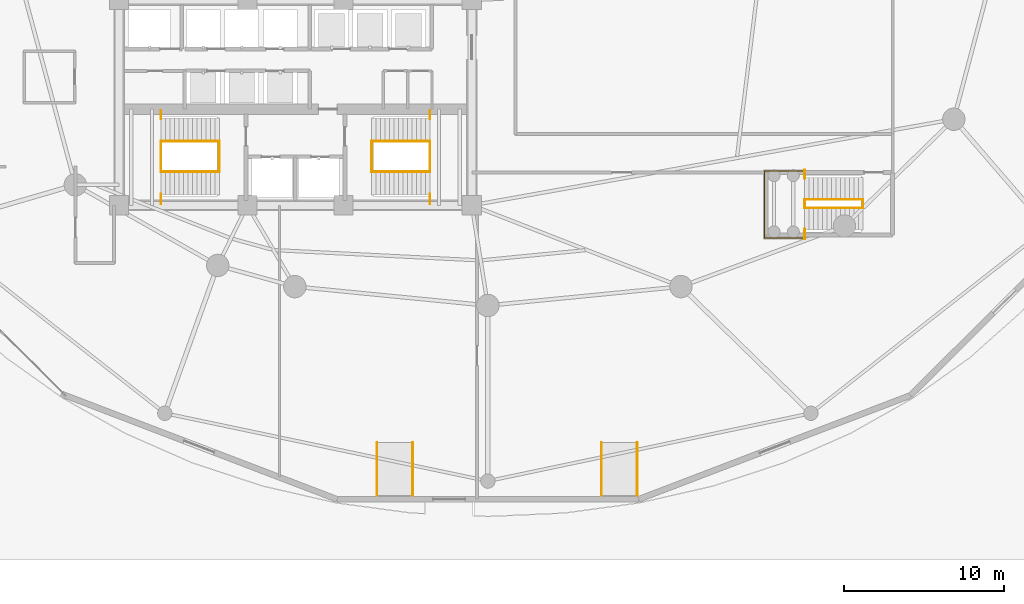
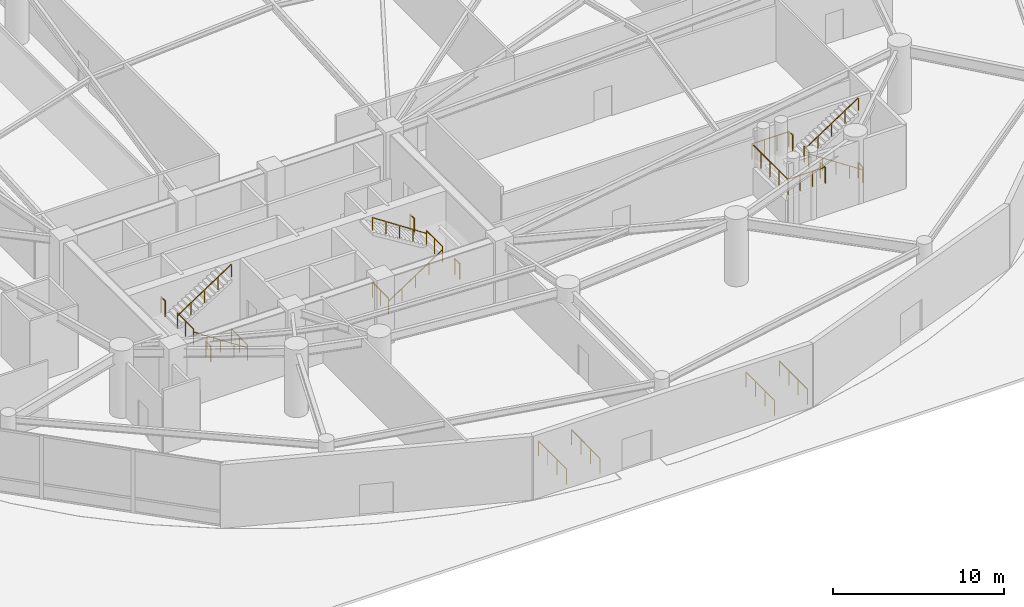
# One storey, part 30 of 35: 23 railings.
"""IFC4 building model written with IfcOpenShell, lengths in metres."""

import ifcopenshell
import ifcopenshell.guid

model = None  # the IFC model being written
_history = None  # IfcOwnerHistory: only IFC2X3 demands one
_inside = {}  # id of a spatial element -> (the spatial element, [elements in it])
_under = {}  # id of a project, library or spatial element -> (it, [spatial elements below it])
_declared = {}  # id of a project -> (the project, [libraries it declares])
_typed = {}  # id of a type object -> (the type object, [elements of that type])
_made_of = {}  # id of a material, layer set ... -> (it, [elements and type objects made of it])


def new_model(schema):
    """Start an empty IFC model of exactly this schema.

    Asked for "IFC4X3", IfcOpenShell would pick the latest addendum, in which some entities
    have other attributes; the version numbers below select the first issue.
    IFC2X3 requires an IfcOwnerHistory on every rooted entity: one is made here for all.
    """
    global model, _history
    if schema == "IFC4X3":
        model = ifcopenshell.file(schema_version=(4, 3, 0, 0))
    else:
        model = ifcopenshell.file(schema=schema)
    _inside.clear()
    _under.clear()
    _declared.clear()
    _typed.clear()
    _made_of.clear()
    _history = None
    if model.schema == "IFC2X3":
        org = make("IfcOrganization", Name="unknown")
        user = make(
            "IfcPersonAndOrganization",
            ThePerson=make("IfcPerson", FamilyName="unknown"),
            TheOrganization=org,
        )
        app = make(
            "IfcApplication",
            ApplicationDeveloper=org,
            Version="unknown",
            ApplicationFullName="unknown",
            ApplicationIdentifier="unknown",
        )
        _history = make(
            "IfcOwnerHistory",
            OwningUser=user,
            OwningApplication=app,
            ChangeAction="ADDED",
            CreationDate=0,
        )
    return model


def make(cls, **values):
    """One entity of the class cls with the attributes given. An attribute that is None is left unset."""
    return model.create_entity(
        cls, **{name: value for name, value in values.items() if value is not None}
    )


def rooted(cls, **values):
    """An entity with a GlobalId (a new one), such as an element, a storey or a relation."""
    return make(cls, GlobalId=ifcopenshell.guid.new(), OwnerHistory=_history, **values)


def si_unit(unit_type, name, prefix=None):
    """IfcSIUnit, for example si_unit("LENGTHUNIT", "METRE", prefix="MILLI")."""
    return make("IfcSIUnit", UnitType=unit_type, Prefix=prefix, Name=name)


def assignment(units):
    """IfcUnitAssignment: the units of a project."""
    return None if units is None else make("IfcUnitAssignment", Units=units)


def point(xyz):
    """IfcCartesianPoint."""
    return None if xyz is None else make("IfcCartesianPoint", Coordinates=xyz)


def direction(xyz):
    """IfcDirection."""
    return None if xyz is None else make("IfcDirection", DirectionRatios=xyz)


def frame(location, z_axis=None, x_axis=None):
    """IfcAxis2Placement3D, a coordinate frame: its origin and axes. An axis left out is left unset."""
    return make(
        "IfcAxis2Placement3D",
        Location=point(location),
        Axis=direction(z_axis),
        RefDirection=direction(x_axis),
    )


def frame_2d(location, x_axis=None):
    """IfcAxis2Placement2D, a coordinate frame in the plane: its origin and x axis."""
    return make(
        "IfcAxis2Placement2D", Location=point(location), RefDirection=direction(x_axis)
    )


def origin():
    """The frame at (0, 0, 0) with its axes left unset."""
    return frame((0.0, 0.0, 0.0))


def origin_2d():
    """The frame at (0, 0) in the plane with its x axis left unset."""
    return frame_2d((0.0, 0.0))


def place(relative_to, where):
    """IfcLocalPlacement: puts the frame where relative to a parent placement (None: the world)."""
    return make(
        "IfcLocalPlacement", PlacementRelTo=relative_to, RelativePlacement=where
    )


def context(
    kind, dimensions, precision=None, world=None, true_north=None, identifier=None
):
    """IfcGeometricRepresentationContext, for example the 3D "Model" context."""
    return make(
        "IfcGeometricRepresentationContext",
        ContextIdentifier=identifier,
        ContextType=kind,
        CoordinateSpaceDimension=dimensions,
        Precision=precision,
        WorldCoordinateSystem=world,
        TrueNorth=true_north,
    )


def subcontext(parent, identifier, kind, view, scale=None):
    """IfcGeometricRepresentationSubContext, for example "Body" below "Model"."""
    return make(
        "IfcGeometricRepresentationSubContext",
        ContextIdentifier=identifier,
        ContextType=kind,
        ParentContext=parent,
        TargetScale=scale,
        TargetView=view,
    )


def project(units=None, contexts=None):
    """IfcProject with its units and contexts."""
    return rooted(
        "IfcProject",
        Name="project",
        RepresentationContexts=contexts,
        UnitsInContext=assignment(units),
    )


def spatial(cls, under=None, at=None, **own):
    """A site, building, storey or space (cls), placed at a placement, below another one or the project."""
    s = rooted(cls, ObjectPlacement=at, **own)
    if under is not None:
        _under.setdefault(under.id(), (under, []))[1].append(s)
    return s


def profile(cls, at=None, kind="AREA", **sizes):
    """A parametric profile (cls). Its sizes go by their IFC names, for example OverallWidth=200.0."""
    return make(cls, ProfileType=kind, Position=at, **sizes)


def rectangle(**sizes):
    """IfcRectangleProfileDef."""
    return profile("IfcRectangleProfileDef", **sizes)


def extrude(swept, where, along, depth):
    """IfcExtrudedAreaSolid: the profile swept, set in the frame where, extruded along a direction by depth."""
    return make(
        "IfcExtrudedAreaSolid",
        SweptArea=swept,
        Position=where,
        ExtrudedDirection=direction(along),
        Depth=depth,
    )


def shape(context_of_items, identifier, shape_type, items):
    """IfcShapeRepresentation: the items that make up one representation, for example the "Body"."""
    return make(
        "IfcShapeRepresentation",
        ContextOfItems=context_of_items,
        RepresentationIdentifier=identifier,
        RepresentationType=shape_type,
        Items=items,
    )


def material(Name=None, Category=None):
    """IfcMaterial."""
    return make("IfcMaterial", Name=Name, Category=Category)


def made_of(thing, what):
    """Note that an element or type object is made of a material, layer set ...; save() writes the relation."""
    if what is not None:
        _made_of.setdefault(what.id(), (what, []))[1].append(thing)
    return thing


def type_object(cls, material=None, **own):
    """A type object (cls), such as IfcWallType, which elements share."""
    return made_of(rooted(cls, **own), material)


def element(
    cls,
    number,
    at=None,
    inside=None,
    cuts=None,
    type_object=None,
    material=None,
    context=None,
    identifier="Body",
    shape_type=None,
    held_by="IfcProductDefinitionShape",
    body=None,
    shapes=None,
    **own,
):
    """One element of the class cls, such as IfcWall. Its Tag is "e" and its number.

    at: its placement. inside: the storey or other place that contains it. cuts: it is an
    opening in that element (IfcRelVoidsElement). A single representation is given by context,
    identifier, shape_type and body (its items); several are given by shapes. held_by: the class
    of the entity that holds the representations. save() writes the other relations.
    """
    e = rooted(cls, Tag="e%d" % number, ObjectPlacement=at, **own)
    if body is not None:
        shapes = [shape(context, identifier, shape_type, body)]
    if shapes is not None:
        e.Representation = make(held_by, Representations=shapes)
    if inside is not None:
        _inside.setdefault(inside.id(), (inside, []))[1].append(e)
    if cuts is not None:
        rooted(
            "IfcRelVoidsElement", RelatingBuildingElement=cuts, RelatedOpeningElement=e
        )
    if type_object is not None:
        _typed.setdefault(type_object.id(), (type_object, []))[1].append(e)
    return made_of(e, material)


def aggregate(whole, parts):
    """IfcRelAggregates: a whole, such as a stair, and the parts it consists of."""
    return rooted("IfcRelAggregates", RelatingObject=whole, RelatedObjects=parts)


def save(model, path):
    """Write the relations noted so far, then the file.

    IfcRelAggregates (storeys below a building ...), IfcRelContainedInSpatialStructure (elements
    in a storey), IfcRelDefinesByType, IfcRelAssociatesMaterial and IfcRelDeclares: one each for
    every whole, place, type object, material and project.
    """
    for whole, parts in _under.values():
        aggregate(whole, parts)
    for where, things in _inside.values():
        rooted(
            "IfcRelContainedInSpatialStructure",
            RelatedElements=things,
            RelatingStructure=where,
        )
    for kind, things in _typed.values():
        rooted("IfcRelDefinesByType", RelatedObjects=things, RelatingType=kind)
    for what, things in _made_of.values():
        rooted("IfcRelAssociatesMaterial", RelatedObjects=things, RelatingMaterial=what)
    for by, libraries in _declared.values():
        rooted("IfcRelDeclares", RelatingContext=by, RelatedDefinitions=libraries)
    model.write(path)


model = new_model("IFC4")

# Units and contexts
model_context = context("Model", 3, precision=1e-05, world=origin(), true_north=direction((0.0, 1.0)))
body_context = subcontext(model_context, "Body", "Model", "MODEL_VIEW")
ifc_project = project(units=[si_unit("LENGTHUNIT", "METRE"), si_unit("AREAUNIT", "SQUARE_METRE"), si_unit("VOLUMEUNIT", "CUBIC_METRE"), si_unit("PLANEANGLEUNIT", "RADIAN"), si_unit("MASSUNIT", "GRAM", prefix="KILO")], contexts=[model_context])

# Site, building, storey
site_placement = place(None, origin())
site = spatial("IfcSite", under=ifc_project, at=site_placement, CompositionType="ELEMENT")
building_placement = place(site_placement, origin())
building = spatial("IfcBuilding", under=site, at=building_placement, Name="Kazevale Care Tower and Concert Hall", CompositionType="ELEMENT")
storey_placement = place(building_placement, origin())
storey = spatial("IfcBuildingStorey", under=building, at=storey_placement, Name="L00", CompositionType="ELEMENT", Elevation=0.0)

# Railings
ifc_material = material(Name="Stainless Steel 316", Category="steel")
railing_type_1 = type_object("IfcRailingType", Name="Ramp Stainless Guard Rail", PredefinedType="BALUSTRADE", material=ifc_material)
for number, where, name in (
    (1, (38.080078125, 5.5, -0.02001953125), "rail:L00:pedrampL1"),
    (2, (40.320068359375, 5.5, -0.02001953125), "rail:L00:pedrampR1"),
    (3, (52.080078125, 5.5, -0.02001953125), "rail:L00:pedrampL2"),
    (4, (54.320068359375, 5.5, -0.02001953125), "rail:L00:pedrampR2"),
):
    element("IfcRailing", number, at=place(storey_placement, frame(where)), inside=storey, type_object=railing_type_1, Name=name, PredefinedType="BALUSTRADE", context=body_context, shape_type="SweptSolid", body=[
        extrude(rectangle(XDim=0.048095703125, YDim=0.048095703125, at=origin_2d()), frame((0.0, 0.0, 1.076171875), z_axis=(0.0, 0.999981599692, 0.006066323236), x_axis=(-1.0, 0.0, 0.0)), (0.0, 0.0, 1.0), 3.300048828125),
        extrude(rectangle(XDim=0.0419921875, YDim=0.0419921875, at=origin_2d()), origin(), (0.0, 0.0, 1.0), 1.052001953125),
        extrude(rectangle(XDim=0.0419921875, YDim=0.0419921875, at=origin_2d()), frame((0.0, 1.10009765625, 0.006591796875)), (0.0, 0.0, 1.0), 1.052001953125),
        extrude(rectangle(XDim=0.0419921875, YDim=0.0419921875, at=origin_2d()), frame((0.0, 2.199951171875, 0.013427734375)), (0.0, 0.0, 1.0), 1.052001953125),
        extrude(rectangle(XDim=0.0419921875, YDim=0.0419921875, at=origin_2d()), frame((0.0, 3.300048828125, 0.02001953125)), (0.0, 0.0, 1.0), 1.052001953125),
    ])
railing_type_2 = type_object("IfcRailingType", Name="Stair Pitch Handrail 920", PredefinedType="HANDRAIL", material=ifc_material)
railing_1_placement = place(storey_placement, frame((28.25, 25.699951171875, 0.0)))
element("IfcRailing", 5, at=railing_1_placement, inside=storey, type_object=railing_type_2, Name="stair:L00:ST1:hr1", PredefinedType="HANDRAIL", context=body_context, shape_type="SweptSolid", body=[
    extrude(rectangle(XDim=0.048095703125, YDim=0.048095703125, at=origin_2d()), frame((0.0, 0.0, 0.89599609375), z_axis=(-0.834865213223, 0.0, 0.550454426587), x_axis=(0.0, -1.0, 0.0)), (0.0, 0.0, 1.0), 4.35986328125),
    extrude(rectangle(XDim=0.0419921875, YDim=0.0419921875, at=origin_2d()), origin(), (0.0, 0.0, 1.0), 0.871826171875),
    extrude(rectangle(XDim=0.0419921875, YDim=0.0419921875, at=origin_2d()), frame((-0.909912109375, 0.0, 0.60009765625)), (0.0, 0.0, 1.0), 0.871826171875),
    extrude(rectangle(XDim=0.0419921875, YDim=0.0419921875, at=origin_2d()), frame((-1.81982421875, 0.0, 1.199951171875)), (0.0, 0.0, 1.0), 0.871826171875),
    extrude(rectangle(XDim=0.0419921875, YDim=0.0419921875, at=origin_2d()), frame((-2.72998046875, 0.0, 1.7998046875)), (0.0, 0.0, 1.0), 0.871826171875),
    extrude(rectangle(XDim=0.0419921875, YDim=0.0419921875, at=origin_2d()), frame((-3.639892578125, 0.0, 2.39990234375)), (0.0, 0.0, 1.0), 0.871826171875),
])
railing_2_placement = place(storey_placement, frame((24.610107421875, 27.60009765625, 2.39990234375)))
element("IfcRailing", 6, at=railing_2_placement, inside=storey, type_object=railing_type_2, Name="stair:L00:ST1:hr2", PredefinedType="HANDRAIL", context=body_context, shape_type="SweptSolid", body=[
    extrude(rectangle(XDim=0.048095703125, YDim=0.048095703125, at=origin_2d()), frame((0.0, 0.0, 0.89599609375), z_axis=(0.834839479206, 0.0, 0.550493454965), x_axis=(0.0, 1.0, 0.0)), (0.0, 0.0, 1.0), 4.360107421875),
    extrude(rectangle(XDim=0.0419921875, YDim=0.0419921875, at=origin_2d()), origin(), (0.0, 0.0, 1.0), 0.871826171875),
    extrude(rectangle(XDim=0.0419921875, YDim=0.0419921875, at=origin_2d()), frame((0.909912109375, 0.0, 0.60009765625)), (0.0, 0.0, 1.0), 0.871826171875),
    extrude(rectangle(XDim=0.0419921875, YDim=0.0419921875, at=origin_2d()), frame((1.81982421875, 0.0, 1.2001953125)), (0.0, 0.0, 1.0), 0.871826171875),
    extrude(rectangle(XDim=0.0419921875, YDim=0.0419921875, at=origin_2d()), frame((2.72998046875, 0.0, 1.800048828125)), (0.0, 0.0, 1.0), 0.871826171875),
    extrude(rectangle(XDim=0.0419921875, YDim=0.0419921875, at=origin_2d()), frame((3.639892578125, 0.0, 2.400146484375)), (0.0, 0.0, 1.0), 0.871826171875),
])
railing_3_placement = place(storey_placement, frame((37.75, 25.699951171875, 0.0)))
element("IfcRailing", 7, at=railing_3_placement, inside=storey, type_object=railing_type_2, Name="stair:L00:ST2:hr1", PredefinedType="HANDRAIL", context=body_context, shape_type="SweptSolid", body=[
    extrude(rectangle(XDim=0.048095703125, YDim=0.048095703125, at=origin_2d()), frame((0.0, 0.0, 0.89599609375), z_axis=(0.834865213223, 0.0, 0.550454426587), x_axis=(0.0, 1.0, 0.0)), (0.0, 0.0, 1.0), 4.35986328125),
    extrude(rectangle(XDim=0.0419921875, YDim=0.0419921875, at=origin_2d()), origin(), (0.0, 0.0, 1.0), 0.871826171875),
    extrude(rectangle(XDim=0.0419921875, YDim=0.0419921875, at=origin_2d()), frame((0.909912109375, 0.0, 0.60009765625)), (0.0, 0.0, 1.0), 0.871826171875),
    extrude(rectangle(XDim=0.0419921875, YDim=0.0419921875, at=origin_2d()), frame((1.81982421875, 0.0, 1.199951171875)), (0.0, 0.0, 1.0), 0.871826171875),
    extrude(rectangle(XDim=0.0419921875, YDim=0.0419921875, at=origin_2d()), frame((2.72998046875, 0.0, 1.7998046875)), (0.0, 0.0, 1.0), 0.871826171875),
    extrude(rectangle(XDim=0.0419921875, YDim=0.0419921875, at=origin_2d()), frame((3.639892578125, 0.0, 2.39990234375)), (0.0, 0.0, 1.0), 0.871826171875),
])
railing_4_placement = place(storey_placement, frame((41.389892578125, 27.60009765625, 2.39990234375)))
element("IfcRailing", 8, at=railing_4_placement, inside=storey, type_object=railing_type_2, Name="stair:L00:ST2:hr2", PredefinedType="HANDRAIL", context=body_context, shape_type="SweptSolid", body=[
    extrude(rectangle(XDim=0.048095703125, YDim=0.048095703125, at=origin_2d()), frame((0.0, 0.0, 0.89599609375), z_axis=(-0.834839479206, 0.0, 0.550493454965), x_axis=(0.0, -1.0, 0.0)), (0.0, 0.0, 1.0), 4.360107421875),
    extrude(rectangle(XDim=0.0419921875, YDim=0.0419921875, at=origin_2d()), origin(), (0.0, 0.0, 1.0), 0.871826171875),
    extrude(rectangle(XDim=0.0419921875, YDim=0.0419921875, at=origin_2d()), frame((-0.909912109375, 0.0, 0.60009765625)), (0.0, 0.0, 1.0), 0.871826171875),
    extrude(rectangle(XDim=0.0419921875, YDim=0.0419921875, at=origin_2d()), frame((-1.81982421875, 0.0, 1.2001953125)), (0.0, 0.0, 1.0), 0.871826171875),
    extrude(rectangle(XDim=0.0419921875, YDim=0.0419921875, at=origin_2d()), frame((-2.72998046875, 0.0, 1.800048828125)), (0.0, 0.0, 1.0), 0.871826171875),
    extrude(rectangle(XDim=0.0419921875, YDim=0.0419921875, at=origin_2d()), frame((-3.639892578125, 0.0, 2.400146484375)), (0.0, 0.0, 1.0), 0.871826171875),
])
railing_5_placement = place(storey_placement, frame((68.39990234375, 23.429931640625, 0.0)))
element("IfcRailing", 9, at=railing_5_placement, inside=storey, type_object=railing_type_2, Name="stair:L00:ST3:hr1", PredefinedType="HANDRAIL", context=body_context, shape_type="SweptSolid", body=[
    extrude(rectangle(XDim=0.048095703125, YDim=0.048095703125, at=origin_2d()), frame((0.0, 0.0, 0.89599609375), z_axis=(-0.834865213223, 0.0, 0.550454426587), x_axis=(0.0, -1.0, 0.0)), (0.0, 0.0, 1.0), 4.35986328125),
    extrude(rectangle(XDim=0.0419921875, YDim=0.0419921875, at=origin_2d()), origin(), (0.0, 0.0, 1.0), 0.871826171875),
    extrude(rectangle(XDim=0.0419921875, YDim=0.0419921875, at=origin_2d()), frame((-0.909912109375, 0.0, 0.60009765625)), (0.0, 0.0, 1.0), 0.871826171875),
    extrude(rectangle(XDim=0.0419921875, YDim=0.0419921875, at=origin_2d()), frame((-1.81982421875, 0.0, 1.199951171875)), (0.0, 0.0, 1.0), 0.871826171875),
    extrude(rectangle(XDim=0.0419921875, YDim=0.0419921875, at=origin_2d()), frame((-2.72998046875, 0.0, 1.7998046875)), (0.0, 0.0, 1.0), 0.871826171875),
    extrude(rectangle(XDim=0.0419921875, YDim=0.0419921875, at=origin_2d()), frame((-3.639892578125, 0.0, 2.39990234375)), (0.0, 0.0, 1.0), 0.871826171875),
])
railing_6_placement = place(storey_placement, frame((64.760009765625, 23.969970703125, 2.39990234375)))
element("IfcRailing", 10, at=railing_6_placement, inside=storey, type_object=railing_type_2, Name="stair:L00:ST3:hr2", PredefinedType="HANDRAIL", context=body_context, shape_type="SweptSolid", body=[
    extrude(rectangle(XDim=0.048095703125, YDim=0.048095703125, at=origin_2d()), frame((0.0, 0.0, 0.89599609375), z_axis=(0.834839479206, 0.0, 0.550493454965), x_axis=(0.0, 1.0, 0.0)), (0.0, 0.0, 1.0), 4.360107421875),
    extrude(rectangle(XDim=0.0419921875, YDim=0.0419921875, at=origin_2d()), origin(), (0.0, 0.0, 1.0), 0.871826171875),
    extrude(rectangle(XDim=0.0419921875, YDim=0.0419921875, at=origin_2d()), frame((0.909912109375, 0.0, 0.60009765625)), (0.0, 0.0, 1.0), 0.871826171875),
    extrude(rectangle(XDim=0.0419921875, YDim=0.0419921875, at=origin_2d()), frame((1.81982421875, 0.0, 1.2001953125)), (0.0, 0.0, 1.0), 0.871826171875),
    extrude(rectangle(XDim=0.0419921875, YDim=0.0419921875, at=origin_2d()), frame((2.72998046875, 0.0, 1.800048828125)), (0.0, 0.0, 1.0), 0.871826171875),
    extrude(rectangle(XDim=0.0419921875, YDim=0.0419921875, at=origin_2d()), frame((3.639892578125, 0.0, 2.400146484375)), (0.0, 0.0, 1.0), 0.871826171875),
])
railing_type_3 = type_object("IfcRailingType", Name="Stair Well Guard Balustrade 1120", PredefinedType="BALUSTRADE", material=ifc_material)
railing_7_placement = place(storey_placement, frame((24.610107421875, 23.699951171875, 2.39990234375)))
element("IfcRailing", 11, at=railing_7_placement, inside=storey, type_object=railing_type_3, Name="stair:L00:ST1:grd_side1", PredefinedType="BALUSTRADE", context=body_context, shape_type="SweptSolid", body=[
    extrude(rectangle(XDim=0.048095703125, YDim=0.048095703125, at=origin_2d()), frame((0.0, 0.0, 1.09619140625), z_axis=(0.0, 1.0, 0.0), x_axis=(-1.0, 0.0, 0.0)), (0.0, 0.0, 1.0), 0.610107421875),
    extrude(rectangle(XDim=0.0419921875, YDim=0.0419921875, at=origin_2d()), origin(), (0.0, 0.0, 1.0), 1.072021484375),
    extrude(rectangle(XDim=0.0419921875, YDim=0.0419921875, at=origin_2d()), frame((0.0, 0.610107421875, 0.0)), (0.0, 0.0, 1.0), 1.072021484375),
])
railing_8_placement = place(storey_placement, frame((24.610107421875, 28.989990234375, 2.39990234375)))
element("IfcRailing", 12, at=railing_8_placement, inside=storey, type_object=railing_type_3, Name="stair:L00:ST1:grd_side2", PredefinedType="BALUSTRADE", context=body_context, shape_type="SweptSolid", body=[
    extrude(rectangle(XDim=0.048095703125, YDim=0.048095703125, at=origin_2d()), frame((0.0, 0.0, 1.09619140625), z_axis=(0.0, 1.0, 0.0), x_axis=(-1.0, 0.0, 0.0)), (0.0, 0.0, 1.0), 0.510009765625),
    extrude(rectangle(XDim=0.0419921875, YDim=0.0419921875, at=origin_2d()), origin(), (0.0, 0.0, 1.0), 1.072021484375),
    extrude(rectangle(XDim=0.0419921875, YDim=0.0419921875, at=origin_2d()), frame((0.0, 0.510009765625, 0.0)), (0.0, 0.0, 1.0), 1.072021484375),
])
for number, where, name in (
    (13, (24.610107421875, 25.699951171875, 2.39990234375), "stair:L00:ST1:grd_mid"),
    (14, (28.25, 25.699951171875, 0.0), "stair:L00:ST1:grd_flr"),
):
    element("IfcRailing", number, at=place(storey_placement, frame(where)), inside=storey, type_object=railing_type_3, Name=name, PredefinedType="BALUSTRADE", context=body_context, shape_type="SweptSolid", body=[
        extrude(rectangle(XDim=0.048095703125, YDim=0.048095703125, at=origin_2d()), frame((0.0, 0.0, 1.09619140625), z_axis=(0.0, 1.0, 0.0), x_axis=(-1.0, 0.0, 0.0)), (0.0, 0.0, 1.0), 1.900146484375),
        extrude(rectangle(XDim=0.0419921875, YDim=0.0419921875, at=origin_2d()), origin(), (0.0, 0.0, 1.0), 1.072021484375),
        extrude(rectangle(XDim=0.0419921875, YDim=0.0419921875, at=origin_2d()), frame((0.0, 0.9501953125, 0.0)), (0.0, 0.0, 1.0), 1.072021484375),
        extrude(rectangle(XDim=0.0419921875, YDim=0.0419921875, at=origin_2d()), frame((0.0, 1.900146484375, 0.0)), (0.0, 0.0, 1.0), 1.072021484375),
    ])
railing_9_placement = place(storey_placement, frame((41.389892578125, 23.699951171875, 2.39990234375)))
element("IfcRailing", 15, at=railing_9_placement, inside=storey, type_object=railing_type_3, Name="stair:L00:ST2:grd_side1", PredefinedType="BALUSTRADE", context=body_context, shape_type="SweptSolid", body=[
    extrude(rectangle(XDim=0.048095703125, YDim=0.048095703125, at=origin_2d()), frame((0.0, 0.0, 1.09619140625), z_axis=(0.0, 1.0, 0.0), x_axis=(-1.0, 0.0, 0.0)), (0.0, 0.0, 1.0), 0.610107421875),
    extrude(rectangle(XDim=0.0419921875, YDim=0.0419921875, at=origin_2d()), origin(), (0.0, 0.0, 1.0), 1.072021484375),
    extrude(rectangle(XDim=0.0419921875, YDim=0.0419921875, at=origin_2d()), frame((0.0, 0.610107421875, 0.0)), (0.0, 0.0, 1.0), 1.072021484375),
])
railing_10_placement = place(storey_placement, frame((41.389892578125, 28.989990234375, 2.39990234375)))
element("IfcRailing", 16, at=railing_10_placement, inside=storey, type_object=railing_type_3, Name="stair:L00:ST2:grd_side2", PredefinedType="BALUSTRADE", context=body_context, shape_type="SweptSolid", body=[
    extrude(rectangle(XDim=0.048095703125, YDim=0.048095703125, at=origin_2d()), frame((0.0, 0.0, 1.09619140625), z_axis=(0.0, 1.0, 0.0), x_axis=(-1.0, 0.0, 0.0)), (0.0, 0.0, 1.0), 0.510009765625),
    extrude(rectangle(XDim=0.0419921875, YDim=0.0419921875, at=origin_2d()), origin(), (0.0, 0.0, 1.0), 1.072021484375),
    extrude(rectangle(XDim=0.0419921875, YDim=0.0419921875, at=origin_2d()), frame((0.0, 0.510009765625, 0.0)), (0.0, 0.0, 1.0), 1.072021484375),
])
for number, where, name in (
    (17, (41.389892578125, 25.699951171875, 2.39990234375), "stair:L00:ST2:grd_mid"),
    (18, (37.75, 25.699951171875, 0.0), "stair:L00:ST2:grd_flr"),
):
    element("IfcRailing", number, at=place(storey_placement, frame(where)), inside=storey, type_object=railing_type_3, Name=name, PredefinedType="BALUSTRADE", context=body_context, shape_type="SweptSolid", body=[
        extrude(rectangle(XDim=0.048095703125, YDim=0.048095703125, at=origin_2d()), frame((0.0, 0.0, 1.09619140625), z_axis=(0.0, 1.0, 0.0), x_axis=(-1.0, 0.0, 0.0)), (0.0, 0.0, 1.0), 1.900146484375),
        extrude(rectangle(XDim=0.0419921875, YDim=0.0419921875, at=origin_2d()), origin(), (0.0, 0.0, 1.0), 1.072021484375),
        extrude(rectangle(XDim=0.0419921875, YDim=0.0419921875, at=origin_2d()), frame((0.0, 0.9501953125, 0.0)), (0.0, 0.0, 1.0), 1.072021484375),
        extrude(rectangle(XDim=0.0419921875, YDim=0.0419921875, at=origin_2d()), frame((0.0, 1.900146484375, 0.0)), (0.0, 0.0, 1.0), 1.072021484375),
    ])
railing_11_placement = place(storey_placement, frame((64.760009765625, 21.5, 2.39990234375)))
element("IfcRailing", 19, at=railing_11_placement, inside=storey, type_object=railing_type_3, Name="stair:L00:ST3:grd_side1", PredefinedType="BALUSTRADE", context=body_context, shape_type="SweptSolid", body=[
    extrude(rectangle(XDim=0.048095703125, YDim=0.048095703125, at=origin_2d()), frame((0.0, 0.0, 1.09619140625), z_axis=(0.0, 1.0, 0.0), x_axis=(-1.0, 0.0, 0.0)), (0.0, 0.0, 1.0), 0.610107421875),
    extrude(rectangle(XDim=0.0419921875, YDim=0.0419921875, at=origin_2d()), origin(), (0.0, 0.0, 1.0), 1.072021484375),
    extrude(rectangle(XDim=0.0419921875, YDim=0.0419921875, at=origin_2d()), frame((0.0, 0.610107421875, 0.0)), (0.0, 0.0, 1.0), 1.072021484375),
])
railing_12_placement = place(storey_placement, frame((64.760009765625, 25.2900390625, 2.39990234375)))
element("IfcRailing", 20, at=railing_12_placement, inside=storey, type_object=railing_type_3, Name="stair:L00:ST3:grd_side2", PredefinedType="BALUSTRADE", context=body_context, shape_type="SweptSolid", body=[
    extrude(rectangle(XDim=0.048095703125, YDim=0.048095703125, at=origin_2d()), frame((0.0, 0.0, 1.09619140625), z_axis=(0.0, 1.0, 0.0), x_axis=(-1.0, 0.0, 0.0)), (0.0, 0.0, 1.0), 0.510009765625),
    extrude(rectangle(XDim=0.0419921875, YDim=0.0419921875, at=origin_2d()), origin(), (0.0, 0.0, 1.0), 1.072021484375),
    extrude(rectangle(XDim=0.0419921875, YDim=0.0419921875, at=origin_2d()), frame((0.0, 0.510009765625, 0.0)), (0.0, 0.0, 1.0), 1.072021484375),
])
railing_13_placement = place(storey_placement, frame((64.760009765625, 21.56005859375, 2.39990234375)))
element("IfcRailing", 21, at=railing_13_placement, inside=storey, type_object=railing_type_3, Name="stair:L00:ST3:grd_far", PredefinedType="BALUSTRADE", context=body_context, shape_type="SweptSolid", body=[
    extrude(rectangle(XDim=0.048095703125, YDim=0.048095703125, at=origin_2d()), frame((0.0, 0.0, 1.09619140625), z_axis=(-1.0, 0.0, 0.0), x_axis=(0.0, -1.0, 0.0)), (0.0, 0.0, 1.0), 2.5),
    extrude(rectangle(XDim=0.048095703125, YDim=0.048095703125, at=origin_2d()), frame((-2.5, 0.0, 1.09619140625), z_axis=(0.0, 1.0, 0.0), x_axis=(-1.0, 0.0, 0.0)), (0.0, 0.0, 1.0), 4.179931640625),
    extrude(rectangle(XDim=0.048095703125, YDim=0.048095703125, at=origin_2d()), frame((-2.5, 4.179931640625, 1.09619140625), z_axis=(1.0, 0.0, 0.0), x_axis=(0.0, 1.0, 0.0)), (0.0, 0.0, 1.0), 2.5),
    extrude(rectangle(XDim=0.0419921875, YDim=0.0419921875, at=origin_2d()), origin(), (0.0, 0.0, 1.0), 1.072021484375),
    extrude(rectangle(XDim=0.0419921875, YDim=0.0419921875, at=origin_2d()), frame((-0.833251953125, 0.0, 0.0)), (0.0, 0.0, 1.0), 1.072021484375),
    extrude(rectangle(XDim=0.0419921875, YDim=0.0419921875, at=origin_2d()), frame((-1.666748046875, 0.0, 0.0)), (0.0, 0.0, 1.0), 1.072021484375),
    extrude(rectangle(XDim=0.0419921875, YDim=0.0419921875, at=origin_2d()), frame((-2.5, 0.0, 0.0)), (0.0, 0.0, 1.0), 1.072021484375),
    extrude(rectangle(XDim=0.0419921875, YDim=0.0419921875, at=origin_2d()), frame((-2.5, 1.044921875, 0.0)), (0.0, 0.0, 1.0), 1.072021484375),
    extrude(rectangle(XDim=0.0419921875, YDim=0.0419921875, at=origin_2d()), frame((-2.5, 2.08984375, 0.0)), (0.0, 0.0, 1.0), 1.072021484375),
    extrude(rectangle(XDim=0.0419921875, YDim=0.0419921875, at=origin_2d()), frame((-2.5, 3.135009765625, 0.0)), (0.0, 0.0, 1.0), 1.072021484375),
    extrude(rectangle(XDim=0.0419921875, YDim=0.0419921875, at=origin_2d()), frame((-2.5, 4.179931640625, 0.0)), (0.0, 0.0, 1.0), 1.072021484375),
    extrude(rectangle(XDim=0.0419921875, YDim=0.0419921875, at=origin_2d()), frame((-1.666748046875, 4.179931640625, 0.0)), (0.0, 0.0, 1.0), 1.072021484375),
    extrude(rectangle(XDim=0.0419921875, YDim=0.0419921875, at=origin_2d()), frame((-0.833251953125, 4.179931640625, 0.0)), (0.0, 0.0, 1.0), 1.072021484375),
    extrude(rectangle(XDim=0.0419921875, YDim=0.0419921875, at=origin_2d()), frame((0.0, 4.179931640625, 0.0)), (0.0, 0.0, 1.0), 1.072021484375),
])
for number, where, name in (
    (22, (64.760009765625, 23.429931640625, 2.39990234375), "stair:L00:ST3:grd_mid"),
    (23, (68.39990234375, 23.429931640625, 0.0), "stair:L00:ST3:grd_flr"),
):
    element("IfcRailing", number, at=place(storey_placement, frame(where)), inside=storey, type_object=railing_type_3, Name=name, PredefinedType="BALUSTRADE", context=body_context, shape_type="SweptSolid", body=[
        extrude(rectangle(XDim=0.048095703125, YDim=0.048095703125, at=origin_2d()), frame((0.0, 0.0, 1.09619140625), z_axis=(0.0, 1.0, 0.0), x_axis=(-1.0, 0.0, 0.0)), (0.0, 0.0, 1.0), 0.5400390625),
        extrude(rectangle(XDim=0.0419921875, YDim=0.0419921875, at=origin_2d()), origin(), (0.0, 0.0, 1.0), 1.072021484375),
        extrude(rectangle(XDim=0.0419921875, YDim=0.0419921875, at=origin_2d()), frame((0.0, 0.5400390625, 0.0)), (0.0, 0.0, 1.0), 1.072021484375),
    ])

save(model, "model.ifc")
